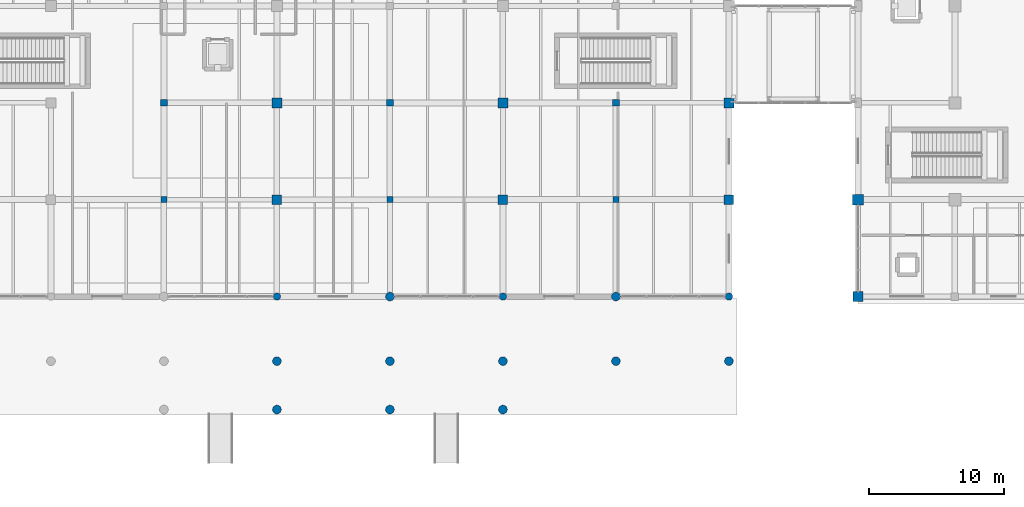
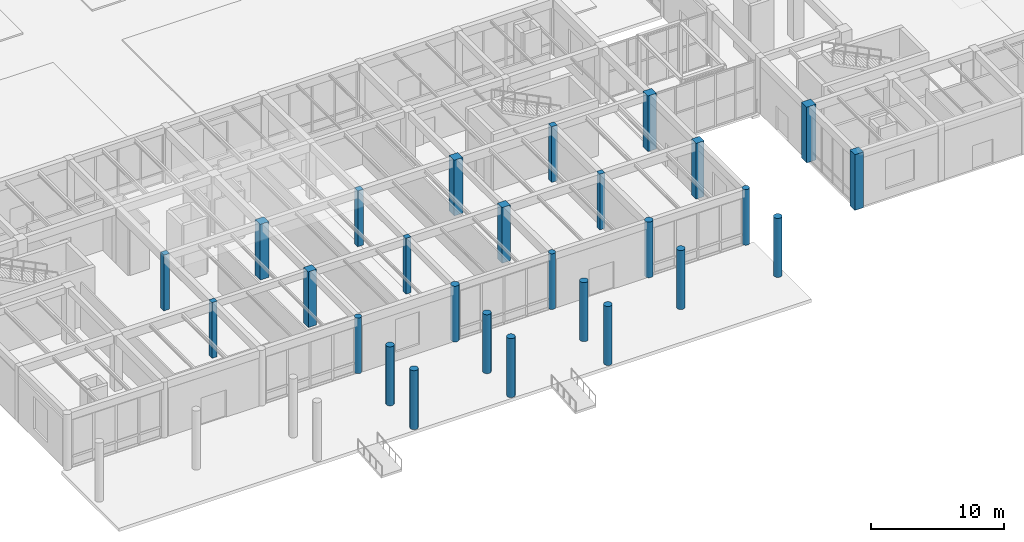
# One storey, part 4 of 169: 27 columns.
"""IFC4 building model written with IfcOpenShell, lengths in metres."""

from ifc_helpers import new_model, si_unit, direction, frame, origin, origin_2d, place, context, subcontext, project, spatial, rectangle, circle, extrude, material, material_profile, profile_set, type_object, element, save


model = new_model("IFC4")

# Units and contexts
model_context = context("Model", 3, precision=1e-05, world=origin(), true_north=direction((0.0, 1.0)))
body_context = subcontext(model_context, "Body", "Model", "MODEL_VIEW")
ifc_project = project(units=[si_unit("LENGTHUNIT", "METRE"), si_unit("AREAUNIT", "SQUARE_METRE"), si_unit("VOLUMEUNIT", "CUBIC_METRE"), si_unit("PLANEANGLEUNIT", "RADIAN"), si_unit("MASSUNIT", "GRAM", prefix="KILO")], contexts=[model_context])

# Site, building, storey
site_placement = place(None, origin())
site = spatial("IfcSite", under=ifc_project, at=site_placement, CompositionType="ELEMENT")
building_placement = place(site_placement, origin())
building = spatial("IfcBuilding", under=site, at=building_placement, Name="Mazaris Harbour Polytechnic", CompositionType="ELEMENT")
storey_placement = place(building_placement, origin())
storey = spatial("IfcBuildingStorey", under=building, at=storey_placement, Name="L00", CompositionType="ELEMENT", Elevation=0.0)

# Columns
ifc_material_1 = material(Name="Concrete C40/50", Category="concrete")
ifc_material_profile_1 = material_profile(ifc_material_1, circle(Radius=0.27490234375, at=origin_2d()), Name="DIA550")
ifc_profile_set_1 = profile_set([ifc_material_profile_1], Name="Concrete C40/50")
column_type_1 = type_object("IfcColumnType", Name="RC Colonnade Column D550", PredefinedType="COLUMN", material=ifc_profile_set_1)
for number, where, z_axis, x_axis, name in (
    (1, (79.199951171875, 7.199951171875, 0.0), (0.0, 0.0, 1.0), (1.0, 0.0, 0.0), "V3 L00 Column 443"),
    (2, (96.0, 7.199951171875, 0.0), (0.0, 0.0, 1.0), (1.0, 0.0, 0.0), "V3 L00 Column 453"),
    (3, (112.800048828125, 7.199951171875, 0.0), (0.0, 0.0, 1.0), (1.0, 0.0, 0.0), "V3 L00 Column 463"),
):
    element("IfcColumn", number, at=place(storey_placement, frame(where, z_axis=z_axis, x_axis=x_axis)), inside=storey, type_object=column_type_1, Name=name, PredefinedType="COLUMN", context=body_context, shape_type="SweptSolid", body=[
        extrude(circle(Radius=0.27490234375, at=origin_2d()), origin(), (0.0, 0.0, 1.0), 5.10009765625),
    ])
ifc_material_2 = material(Name="Concrete C40/50", Category="concrete")
ifc_material_profile_2 = material_profile(ifc_material_2, circle(Radius=0.324951171875, at=origin_2d()), Name="DIA650")
ifc_profile_set_2 = profile_set([ifc_material_profile_2], Name="Concrete C40/50")
column_type_2 = type_object("IfcColumnType", Name="RC Colonnade Column D650", PredefinedType="COLUMN", material=ifc_profile_set_2)
for number, where, z_axis, x_axis, name in (
    (4, (87.60009765625, 7.199951171875, 0.0), (0.0, 0.0, 1.0), (1.0, 0.0, 0.0), "V3 L00 Column 448"),
    (5, (104.39990234375, 7.199951171875, 0.0), (0.0, 0.0, 1.0), (1.0, 0.0, 0.0), "V3 L00 Column 458"),
):
    element("IfcColumn", number, at=place(storey_placement, frame(where, z_axis=z_axis, x_axis=x_axis)), inside=storey, type_object=column_type_2, Name=name, PredefinedType="COLUMN", context=body_context, shape_type="SweptSolid", body=[
        extrude(circle(Radius=0.324951171875, at=origin_2d()), origin(), (0.0, 0.0, 1.0), 5.10009765625),
    ])
for number, where, z_axis, x_axis, name in (
    (6, (79.199951171875, 2.39990234375, 0.0), (0.0, 0.0, 1.0), (1.0, 0.0, 0.0), "Harbour Colonnade Column L00-4"),
    (7, (87.60009765625, 2.39990234375, 0.0), (0.0, 0.0, 1.0), (1.0, 0.0, 0.0), "Harbour Colonnade Column L00-5"),
    (8, (96.0, 2.39990234375, 0.0), (0.0, 0.0, 1.0), (1.0, 0.0, 0.0), "Harbour Colonnade Column L00-6"),
    (9, (104.39990234375, 2.39990234375, 0.0), (0.0, 0.0, 1.0), (1.0, 0.0, 0.0), "Harbour Colonnade Column L00-7"),
    (10, (112.800048828125, 2.39990234375, 0.0), (0.0, 0.0, 1.0), (1.0, 0.0, 0.0), "Harbour Colonnade Column L00-8"),
    (11, (79.199951171875, -1.199951171875, 0.0), (0.0, 0.0, 1.0), (1.0, 0.0, 0.0), "Portico Giant-Order Column L00-2"),
    (12, (87.60009765625, -1.199951171875, 0.0), (0.0, 0.0, 1.0), (1.0, 0.0, 0.0), "Portico Giant-Order Column L00-3"),
    (13, (96.0, -1.199951171875, 0.0), (0.0, 0.0, 1.0), (1.0, 0.0, 0.0), "Portico Giant-Order Column L00-4"),
):
    element("IfcColumn", number, at=place(storey_placement, frame(where, z_axis=z_axis, x_axis=x_axis)), inside=storey, type_object=column_type_2, Name=name, PredefinedType="COLUMN", context=body_context, shape_type="SweptSolid", body=[
        extrude(circle(Radius=0.324951171875, at=origin_2d()), origin(), (0.0, 0.0, 1.0), 5.39990234375),
    ])
ifc_material_3 = material(Name="Concrete C40/50", Category="concrete")
ifc_material_profile_3 = material_profile(ifc_material_3, rectangle(XDim=0.449951171875, YDim=0.449951171875, at=origin_2d()), Name="RECT450x450")
ifc_profile_set_3 = profile_set([ifc_material_profile_3], Name="Concrete C40/50")
column_type_3 = type_object("IfcColumnType", Name="RC Column 450x450", PredefinedType="COLUMN", material=ifc_profile_set_3)
for number, where, z_axis, x_axis, name in (
    (14, (70.800048828125, 14.39990234375, 0.0), (0.0, 0.0, 1.0), (1.0, 0.0, 0.0), "V3 L00 Column 439"),
    (15, (87.60009765625, 14.39990234375, 0.0), (0.0, 0.0, 1.0), (1.0, 0.0, 0.0), "V3 L00 Column 449"),
    (16, (104.39990234375, 14.39990234375, 0.0), (0.0, 0.0, 1.0), (1.0, 0.0, 0.0), "V3 L00 Column 459"),
):
    element("IfcColumn", number, at=place(storey_placement, frame(where, z_axis=z_axis, x_axis=x_axis)), inside=storey, type_object=column_type_3, Name=name, PredefinedType="COLUMN", context=body_context, shape_type="SweptSolid", body=[
        extrude(rectangle(XDim=0.449951171875, YDim=0.449951171875, at=origin_2d()), origin(), (0.0, 0.0, 1.0), 5.10009765625),
    ])
ifc_material_4 = material(Name="Concrete C40/50", Category="concrete")
ifc_material_profile_4 = material_profile(ifc_material_4, rectangle(XDim=0.5, YDim=0.5, at=origin_2d()), Name="RECT500x500")
ifc_profile_set_4 = profile_set([ifc_material_profile_4], Name="Concrete C40/50")
column_type_4 = type_object("IfcColumnType", Name="RC Column 500x500", PredefinedType="COLUMN", material=ifc_profile_set_4)
for number, where, z_axis, x_axis, name in (
    (17, (70.800048828125, 21.60009765625, 0.0), (0.0, 0.0, 1.0), (1.0, 0.0, 0.0), "V3 L00 Column 440"),
    (18, (87.60009765625, 21.60009765625, 0.0), (0.0, 0.0, 1.0), (1.0, 0.0, 0.0), "V3 L00 Column 450"),
    (19, (104.39990234375, 21.60009765625, 0.0), (0.0, 0.0, 1.0), (1.0, 0.0, 0.0), "V3 L00 Column 460"),
):
    element("IfcColumn", number, at=place(storey_placement, frame(where, z_axis=z_axis, x_axis=x_axis)), inside=storey, type_object=column_type_4, Name=name, PredefinedType="COLUMN", context=body_context, shape_type="SweptSolid", body=[
        extrude(rectangle(XDim=0.5, YDim=0.5, at=origin_2d()), origin(), (0.0, 0.0, 1.0), 5.10009765625),
    ])
ifc_material_5 = material(Name="Concrete C40/50", Category="concrete")
ifc_material_profile_5 = material_profile(ifc_material_5, rectangle(XDim=0.699951171875, YDim=0.699951171875, at=origin_2d()), Name="RECT700x700")
ifc_profile_set_5 = profile_set([ifc_material_profile_5], Name="Concrete C40/50")
column_type_5 = type_object("IfcColumnType", Name="RC Column 700x700", PredefinedType="COLUMN", material=ifc_profile_set_5)
for number, where, z_axis, x_axis, name in (
    (20, (79.199951171875, 14.39990234375, 0.0), (0.0, 0.0, 1.0), (1.0, 0.0, 0.0), "V3 L00 Column 444"),
    (21, (96.0, 14.39990234375, 0.0), (0.0, 0.0, 1.0), (1.0, 0.0, 0.0), "V3 L00 Column 454"),
):
    element("IfcColumn", number, at=place(storey_placement, frame(where, z_axis=z_axis, x_axis=x_axis)), inside=storey, type_object=column_type_5, Name=name, PredefinedType="COLUMN", context=body_context, shape_type="SweptSolid", body=[
        extrude(rectangle(XDim=0.699951171875, YDim=0.699951171875, at=origin_2d()), origin(), (0.0, 0.0, 1.0), 5.10009765625),
    ])
ifc_material_6 = material(Name="Concrete C40/50", Category="concrete")
ifc_material_profile_6 = material_profile(ifc_material_6, rectangle(XDim=0.699951171875, YDim=0.699951171875, at=origin_2d()), Name="RECT700x700")
ifc_profile_set_6 = profile_set([ifc_material_profile_6], Name="Concrete C40/50")
column_type_6 = type_object("IfcColumnType", Name="RC Column 700x700 Exterior", PredefinedType="COLUMN", material=ifc_profile_set_6)
column_1_placement = place(storey_placement, frame((112.800048828125, 14.39990234375, 0.0), z_axis=(0.0, 0.0, 1.0), x_axis=(1.0, 0.0, 0.0)))
element("IfcColumn", 22, at=column_1_placement, inside=storey, type_object=column_type_6, Name="V3 L00 Column 464", PredefinedType="COLUMN", context=body_context, shape_type="SweptSolid", body=[
    extrude(rectangle(XDim=0.699951171875, YDim=0.699951171875, at=origin_2d()), origin(), (0.0, 0.0, 1.0), 5.10009765625),
])
ifc_material_7 = material(Name="Concrete C40/50", Category="concrete")
ifc_material_profile_7 = material_profile(ifc_material_7, rectangle(XDim=0.75, YDim=0.75, at=origin_2d()), Name="RECT750x750")
ifc_profile_set_7 = profile_set([ifc_material_profile_7], Name="Concrete C40/50")
column_type_7 = type_object("IfcColumnType", Name="RC Column 750x750", PredefinedType="COLUMN", material=ifc_profile_set_7)
for number, where, z_axis, x_axis, name in (
    (23, (79.199951171875, 21.60009765625, 0.0), (0.0, 0.0, 1.0), (1.0, 0.0, 0.0), "V3 L00 Column 445"),
    (24, (96.0, 21.60009765625, 0.0), (0.0, 0.0, 1.0), (1.0, 0.0, 0.0), "V3 L00 Column 455"),
):
    element("IfcColumn", number, at=place(storey_placement, frame(where, z_axis=z_axis, x_axis=x_axis)), inside=storey, type_object=column_type_7, Name=name, PredefinedType="COLUMN", context=body_context, shape_type="SweptSolid", body=[
        extrude(rectangle(XDim=0.75, YDim=0.75, at=origin_2d()), origin(), (0.0, 0.0, 1.0), 5.10009765625),
    ])
ifc_material_8 = material(Name="Concrete C40/50", Category="concrete")
ifc_material_profile_8 = material_profile(ifc_material_8, rectangle(XDim=0.75, YDim=0.75, at=origin_2d()), Name="RECT750x750")
ifc_profile_set_8 = profile_set([ifc_material_profile_8], Name="Concrete C40/50")
column_type_8 = type_object("IfcColumnType", Name="RC Column 750x750 Exterior", PredefinedType="COLUMN", material=ifc_profile_set_8)
for number, where, z_axis, x_axis, name in (
    (25, (122.39990234375, 7.199951171875, 0.0), (0.0, 0.0, 1.0), (1.0, 0.0, 0.0), "V2 L00 Column 225"),
    (26, (112.800048828125, 21.60009765625, 0.0), (0.0, 0.0, 1.0), (1.0, 0.0, 0.0), "V3 L00 Column 465"),
):
    element("IfcColumn", number, at=place(storey_placement, frame(where, z_axis=z_axis, x_axis=x_axis)), inside=storey, type_object=column_type_8, Name=name, PredefinedType="COLUMN", context=body_context, shape_type="SweptSolid", body=[
        extrude(rectangle(XDim=0.75, YDim=0.75, at=origin_2d()), origin(), (0.0, 0.0, 1.0), 5.10009765625),
    ])
ifc_material_9 = material(Name="Concrete C40/50", Category="concrete")
ifc_material_profile_9 = material_profile(ifc_material_9, rectangle(XDim=0.800048828125, YDim=0.800048828125, at=origin_2d()), Name="RECT800x800")
ifc_profile_set_9 = profile_set([ifc_material_profile_9], Name="Concrete C40/50")
column_type_9 = type_object("IfcColumnType", Name="RC Column 800x800 Exterior", PredefinedType="COLUMN", material=ifc_profile_set_9)
column_2_placement = place(storey_placement, frame((122.39990234375, 14.39990234375, 0.0), z_axis=(0.0, 0.0, 1.0), x_axis=(1.0, 0.0, 0.0)))
element("IfcColumn", 27, at=column_2_placement, inside=storey, type_object=column_type_9, Name="V2 L00 Column 226", PredefinedType="COLUMN", context=body_context, shape_type="SweptSolid", body=[
    extrude(rectangle(XDim=0.800048828125, YDim=0.800048828125, at=origin_2d()), origin(), (0.0, 0.0, 1.0), 5.10009765625),
])

save(model, "model.ifc")
